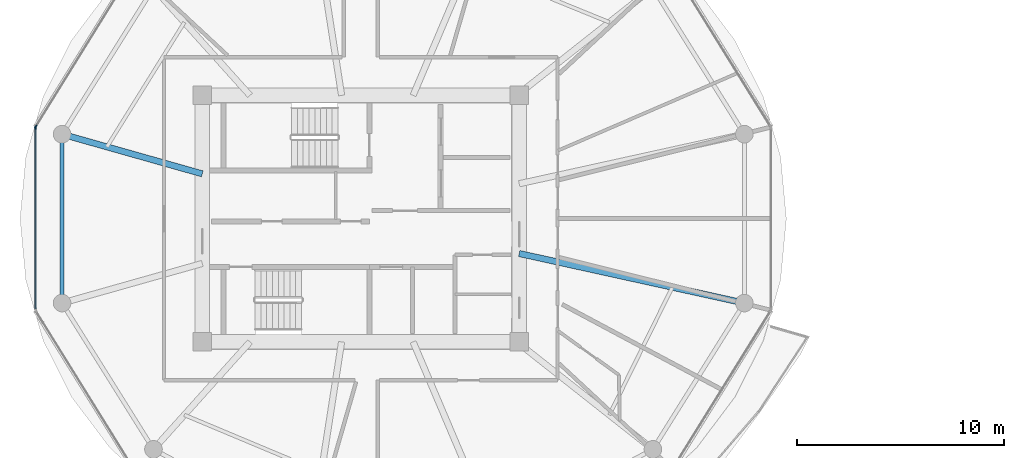
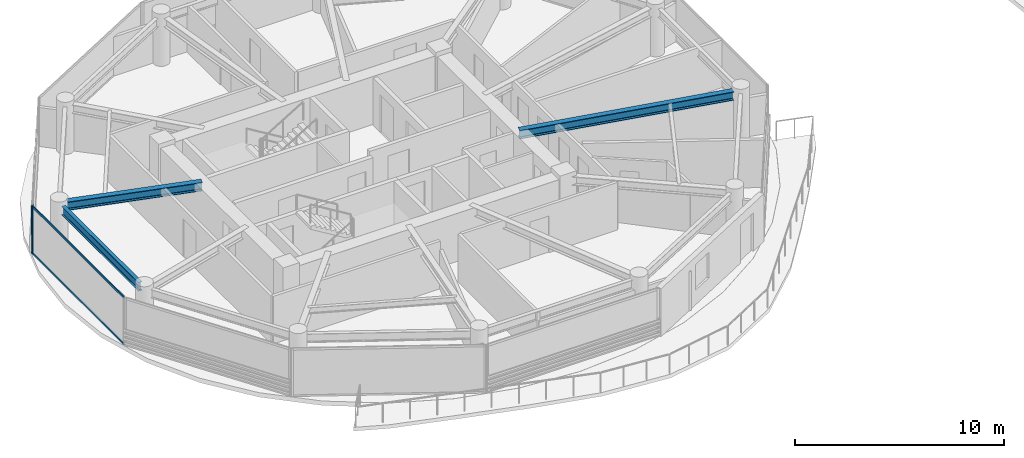
# One storey, part 3 of 24: 4 members, 3 beams, 2 elements without a shape of their own.
"""IFC4 building model written with IfcOpenShell, lengths in metres."""

from ifc_helpers import new_model, si_unit, direction, frame, origin, origin_2d, place, context, subcontext, project, spatial, rectangle, i_section, extrude, source, transform, mapped, material, layer, layer_set, material_profile, profile_set, type_object, type_shapes, element, aggregate, save


model = new_model("IFC4")

# Units and contexts
model_context = context("Model", 3, precision=1e-05, world=origin(), true_north=direction((0.0, 1.0)))
body_context = subcontext(model_context, "Body", "Model", "MODEL_VIEW")
ifc_project = project(units=[si_unit("LENGTHUNIT", "METRE"), si_unit("AREAUNIT", "SQUARE_METRE"), si_unit("VOLUMEUNIT", "CUBIC_METRE"), si_unit("PLANEANGLEUNIT", "RADIAN"), si_unit("MASSUNIT", "GRAM", prefix="KILO")], contexts=[model_context])

# Site, building, storey
site_placement = place(None, origin())
site = spatial("IfcSite", under=ifc_project, at=site_placement, CompositionType="ELEMENT")
building_placement = place(site_placement, origin())
building = spatial("IfcBuilding", under=site, at=building_placement, Name="Norrkilde Senior Care Towers", CompositionType="ELEMENT")
storey_placement = place(building_placement, frame((0.0, 0.0, 111.5)))
storey = spatial("IfcBuildingStorey", under=building, at=storey_placement, Name="L34", CompositionType="ELEMENT", Elevation=111.5)

# Beams
ifc_material_1 = material(Name="Steel S355", Category="steel")
ifc_material_profile_1 = material_profile(ifc_material_1, i_section(OverallWidth=0.300048828125, OverallDepth=0.5, WebThickness=0.014404296875, FlangeThickness=0.028076171875, FilletRadius=0.027099609375, at=origin_2d()), Name="HEB 500")
ifc_profile_set_1 = profile_set([ifc_material_profile_1], Name="Steel S355")
beam_type_1 = type_object("IfcBeamType", Name="Radial Floor Beam Z2 HEB500", PredefinedType="BEAM", material=ifc_profile_set_1)
shared_shape_1 = source(origin(), body_context, "Body", "SweptSolid", [
    extrude(i_section(OverallWidth=0.300048828125, OverallDepth=0.5, WebThickness=0.014404296875, FlangeThickness=0.028076171875, FilletRadius=0.027099609375, at=origin_2d()), origin(), (0.0, 0.0, 1.0), 10.744384765625),
])
beam_1_placement = place(storey_placement, frame((-20.35009765625, -1.683837890625, 2.5400390625), z_axis=(0.976618711422, -0.214978818724, 0.0), x_axis=(0.214978818724, 0.976618711422, 0.0)))
element("IfcBeam", 1, at=beam_1_placement, inside=storey, type_object=beam_type_1, Name="L34 Drum W Radial Floor Beam 12", PredefinedType="BEAM", context=body_context, shape_type="MappedRepresentation", body=[
    mapped(shared_shape_1, transform((0.0, 0.0, 0.0), x_axis=(1.0, 0.0, 0.0), y_axis=(0.0, 1.0, 0.0), z_axis=(0.0, 0.0, 1.0), scale=1.0)),
])
ifc_material_profile_2 = material_profile(ifc_material_1, i_section(OverallWidth=0.199951171875, OverallDepth=0.5, WebThickness=0.01025390625, FlangeThickness=0.01611328125, FilletRadius=0.02099609375, at=origin_2d()), Name="IPE 500")
ifc_profile_set_2 = profile_set([ifc_material_profile_2], Name="Steel S355")
beam_type_2 = type_object("IfcBeamType", Name="Perimeter Ring Spandrel Z2 IPE500", PredefinedType="SPANDREL", material=ifc_profile_set_2)
shared_shape_2 = source(origin(), body_context, "Body", "SweptSolid", [
    extrude(i_section(OverallWidth=0.199951171875, OverallDepth=0.5, WebThickness=0.01025390625, FlangeThickness=0.01611328125, FilletRadius=0.02099609375, at=origin_2d()), origin(), (0.0, 0.0, 1.0), 7.3828125),
])
type_shapes(beam_type_2, [shared_shape_2])
beam_2_placement = place(storey_placement, frame((-42.4189453125, 3.69140625, 2.5400390625), z_axis=(0.0, -1.0, 0.0), x_axis=(1.0, 0.0, 0.0)))
element("IfcBeam", 2, at=beam_2_placement, inside=storey, type_object=beam_type_2, Name="L34 Drum W Perimeter Spandrel 06", PredefinedType="SPANDREL", context=body_context, shape_type="MappedRepresentation", body=[
    mapped(shared_shape_2, transform((0.0, 0.0, 0.0), x_axis=(1.0, 0.0, 0.0), y_axis=(0.0, 1.0, 0.0), z_axis=(0.0, 0.0, 1.0), scale=1.0)),
])
shared_shape_3 = source(origin(), body_context, "Body", "SweptSolid", [
    extrude(i_section(OverallWidth=0.300048828125, OverallDepth=0.5, WebThickness=0.014404296875, FlangeThickness=0.028076171875, FilletRadius=0.027099609375, at=origin_2d()), origin(), (0.0, 0.0, 1.0), 6.6494140625),
])
type_shapes(beam_type_1, [shared_shape_1, shared_shape_3])
beam_3_placement = place(storey_placement, frame((-35.64990234375, 2.162841796875, 2.5400390625), z_axis=(-0.962289138357, 0.27202870106, 0.0), x_axis=(-0.27202870106, -0.962289138357, 0.0)))
element("IfcBeam", 3, at=beam_3_placement, inside=storey, type_object=beam_type_1, Name="L34 Drum W Radial Floor Beam 06", PredefinedType="BEAM", context=body_context, shape_type="MappedRepresentation", body=[
    mapped(shared_shape_3, transform((0.0, 0.0, 0.0), x_axis=(1.0, 0.0, 0.0), y_axis=(0.0, 1.0, 0.0), z_axis=(0.0, 0.0, 1.0), scale=1.0)),
])

# Curtain wall, member
ifc_material_2 = material(Name="Triple Low-E Insulated Glazing", Category="glass")
ifc_layer = layer(ifc_material_2, 0.195068359375)
ifc_layer_set = layer_set([ifc_layer], Name="Triple Low-E Insulated Glazing")
curtain_wall_type = type_object("IfcCurtainWallType", Name="CW3 Zone 2 Assisted Living Curtain Wall", PredefinedType="NOTDEFINED", material=ifc_layer_set)
curtain_wall_1_placement = place(storey_placement, origin())
curtain_wall_1 = element("IfcCurtainWall", 4, at=curtain_wall_1_placement, inside=storey, type_object=curtain_wall_type, Name="L34 Drum W Curtain Wall 04", PredefinedType="NOTDEFINED")
ifc_material_3 = material(Name="Anodised Aluminium", Category="aluminium")
ifc_material_profile_3 = material_profile(ifc_material_3, rectangle(XDim=0.06494140625, YDim=0.159912109375, at=origin_2d()), Name="ALU MULL 65x160")
ifc_profile_set_3 = profile_set([ifc_material_profile_3], Name="Anodised Aluminium")
member_type_1 = type_object("IfcMemberType", Name="Curtain Wall Mullion Z1-Z2 65x160", PredefinedType="MULLION", material=ifc_profile_set_3)
shared_shape_4 = source(origin(), body_context, "Body", "SweptSolid", [
    extrude(rectangle(XDim=0.06494140625, YDim=0.159912109375, at=origin_2d()), origin(), (0.0, 0.0, 1.0), 2.7900390625),
])
type_shapes(member_type_1, [shared_shape_4])
member_1_placement = place(storey_placement, frame((-43.6865234375, 4.4482421875, 0.0), z_axis=(0.0, 0.0, 1.0), x_axis=(-0.849410171862, 0.527733228002, 0.0)))
member_1 = element("IfcMember", 5, at=member_1_placement, type_object=member_type_1, Name="CW-3 mullion 1", PredefinedType="MULLION", context=body_context, shape_type="MappedRepresentation", body=[
    mapped(shared_shape_4, transform((0.0, 0.0, 0.0), x_axis=(1.0, 0.0, 0.0), y_axis=(0.0, 1.0, 0.0), z_axis=(0.0, 0.0, 1.0), scale=1.0)),
])
aggregate(curtain_wall_1, [member_1])

# Curtain wall, members
curtain_wall_2_placement = place(storey_placement, origin())
curtain_wall_2 = element("IfcCurtainWall", 6, at=curtain_wall_2_placement, inside=storey, type_object=curtain_wall_type, Name="L34 Drum W Curtain Wall 05", PredefinedType="NOTDEFINED")
member_2_placement = place(storey_placement, frame((-43.70361328125, 4.38818359375, 0.0), z_axis=(0.0, 0.0, 1.0), x_axis=(-1.0, 0.0, 0.0)))
member_2 = element("IfcMember", 7, at=member_2_placement, type_object=member_type_1, Name="CW-3 mullion 2", PredefinedType="MULLION", context=body_context, shape_type="MappedRepresentation", body=[
    mapped(shared_shape_4, transform((0.0, 0.0, 0.0), x_axis=(1.0, 0.0, 0.0), y_axis=(0.0, 1.0, 0.0), z_axis=(0.0, 0.0, 1.0), scale=1.0)),
])
ifc_material_profile_4 = material_profile(ifc_material_3, rectangle(XDim=0.06005859375, YDim=0.1201171875, at=origin_2d()), Name="ALU TRAN 60x120")
ifc_profile_set_4 = profile_set([ifc_material_profile_4], Name="Anodised Aluminium")
member_type_2 = type_object("IfcMemberType", Name="Curtain Wall Transom Typical 60x120", PredefinedType="USERDEFINED", material=ifc_profile_set_4)
shared_shape_5 = source(origin(), body_context, "Body", "SweptSolid", [
    extrude(rectangle(XDim=0.06005859375, YDim=0.1201171875, at=origin_2d()), origin(), (0.0, 0.0, 1.0), 8.71142578125),
])
type_shapes(member_type_2, [shared_shape_5])
member_3_placement = place(storey_placement, frame((-43.70361328125, -4.355712890625, 0.030029296875), z_axis=(0.0, 1.0, 0.0), x_axis=(-1.0, 0.0, 0.0)))
member_3 = element("IfcMember", 8, at=member_3_placement, type_object=member_type_2, Name="CW-3 transom 1.1", ObjectType="TRANSOM", PredefinedType="USERDEFINED", context=body_context, shape_type="MappedRepresentation", body=[
    mapped(shared_shape_5, transform((0.0, 0.0, 0.0), x_axis=(1.0, 0.0, 0.0), y_axis=(0.0, 1.0, 0.0), z_axis=(0.0, 0.0, 1.0), scale=1.0)),
])
member_4_placement = place(storey_placement, frame((-43.70361328125, -4.355712890625, 2.760009765625), z_axis=(0.0, 1.0, 0.0), x_axis=(-1.0, 0.0, 0.0)))
member_4 = element("IfcMember", 9, at=member_4_placement, type_object=member_type_2, Name="CW-3 transom 1.2", ObjectType="TRANSOM", PredefinedType="USERDEFINED", context=body_context, shape_type="MappedRepresentation", body=[
    mapped(shared_shape_5, transform((0.0, 0.0, 0.0), x_axis=(1.0, 0.0, 0.0), y_axis=(0.0, 1.0, 0.0), z_axis=(0.0, 0.0, 1.0), scale=1.0)),
])
aggregate(curtain_wall_2, [member_2, member_3, member_4])

save(model, "model.ifc")
